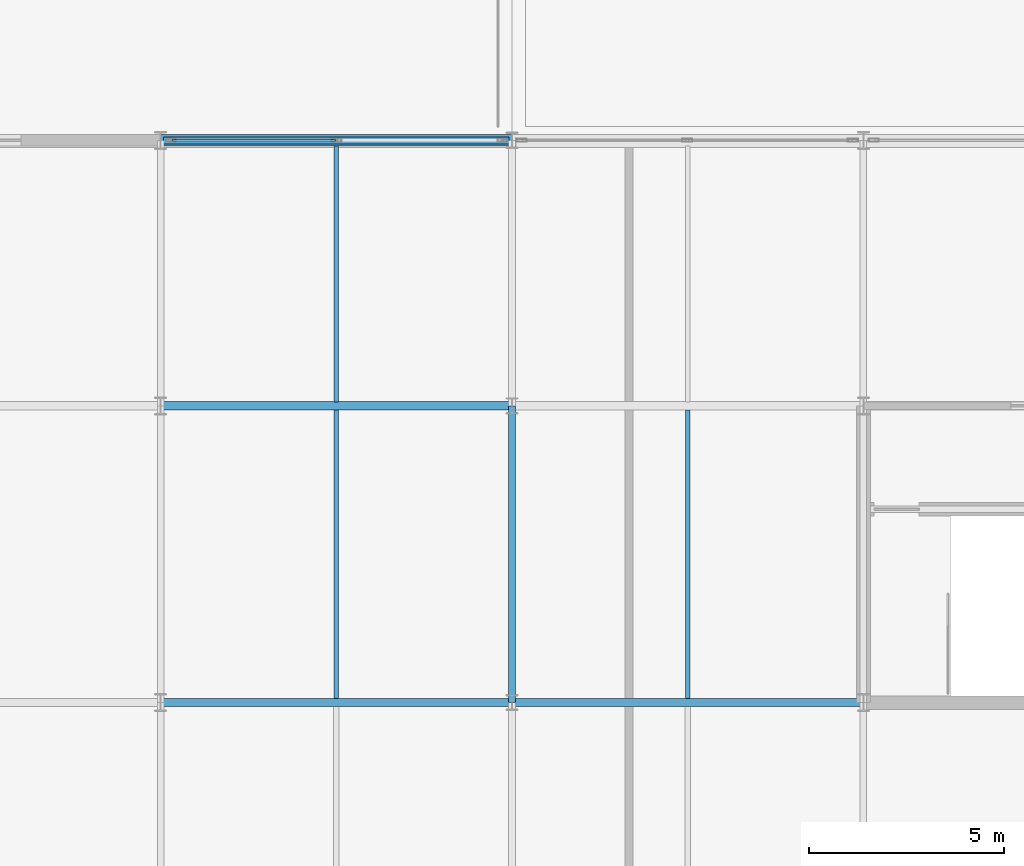
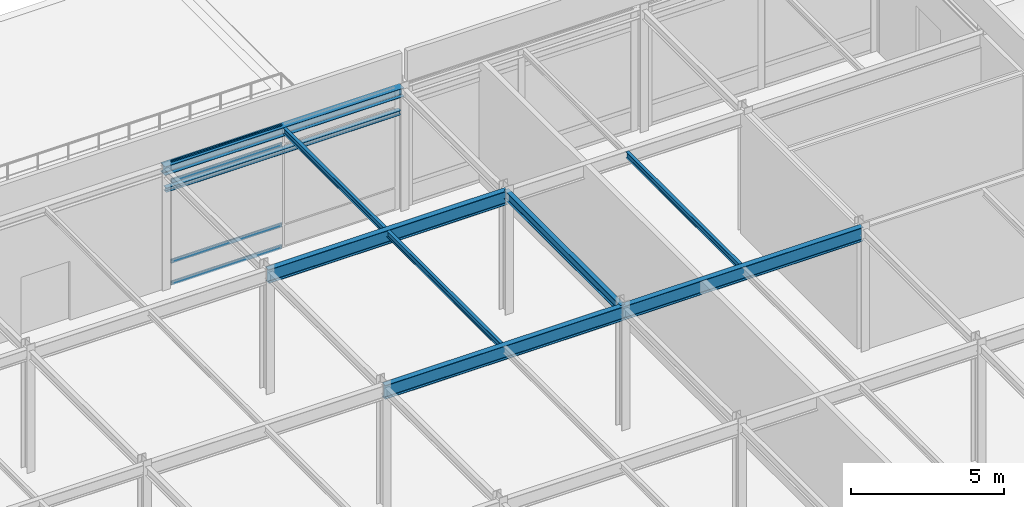
# One storey, part 70 of 113: 9 beams, 4 members, 1 element without a shape of its own.
"""IFC4 building model written with IfcOpenShell, lengths in metres."""

from ifc_helpers import new_model, si_unit, direction, frame, origin, origin_2d, place, context, subcontext, project, spatial, hollow_rectangle, i_section, extrude, material, layer, layer_set, material_profile, profile_set, type_object, element, aggregate, save


model = new_model("IFC4")

# Units and contexts
model_context = context("Model", 3, precision=1e-05, world=origin(), true_north=direction((0.0, 1.0)))
body_context = subcontext(model_context, "Body", "Model", "MODEL_VIEW")
ifc_project = project(units=[si_unit("LENGTHUNIT", "METRE"), si_unit("AREAUNIT", "SQUARE_METRE"), si_unit("VOLUMEUNIT", "CUBIC_METRE"), si_unit("PLANEANGLEUNIT", "RADIAN"), si_unit("MASSUNIT", "GRAM", prefix="KILO")], contexts=[model_context])

# Site, building, storey
site_placement = place(None, origin())
site = spatial("IfcSite", under=ifc_project, at=site_placement, CompositionType="ELEMENT")
building_placement = place(site_placement, origin())
building = spatial("IfcBuilding", under=site, at=building_placement, Name="Shalkamar Park Central Library", CompositionType="ELEMENT")
storey_placement = place(building_placement, frame((0.0, 0.0, 5.39990234375)))
storey = spatial("IfcBuildingStorey", under=building, at=storey_placement, Name="L02", CompositionType="ELEMENT", Elevation=5.39990234375)

# Beams
ifc_material_1 = material(Name="Steel S355", Category="steel")
ifc_material_profile_1 = material_profile(ifc_material_1, i_section(OverallWidth=0.1201171875, OverallDepth=0.239990234375, WebThickness=0.006103515625, FlangeThickness=0.009765625, FilletRadius=0.014892578125, at=origin_2d()), Name="IPE 240")
ifc_profile_set_1 = profile_set([ifc_material_profile_1], Name="Steel S355")
beam_type_1 = type_object("IfcBeamType", Name="Composite Floor Joist IPE240", PredefinedType="JOIST", material=ifc_profile_set_1)
beam_1_placement = place(storey_placement, frame((250.5, 323.702880859375, 4.72998046875), z_axis=(0.0, 1.0, 0.0), x_axis=(-1.0, 0.0, 0.0)))
element("IfcBeam", 1, at=beam_1_placement, inside=storey, type_object=beam_type_1, Name="Composite Joist 17/M-1 (L02)", PredefinedType="JOIST", context=body_context, shape_type="SweptSolid", body=[
    extrude(i_section(OverallWidth=0.1201171875, OverallDepth=0.239990234375, WebThickness=0.006103515625, FlangeThickness=0.009765625, FilletRadius=0.014892578125, at=origin_2d()), origin(), (0.0, 0.0, 1.0), 7.39404296875),
])
beam_2_placement = place(storey_placement, frame((250.5, 331.302978515625, 4.72998046875), z_axis=(0.0, 1.0, 0.0), x_axis=(-1.0, 0.0, 0.0)))
element("IfcBeam", 2, at=beam_2_placement, inside=storey, type_object=beam_type_1, Name="Composite Joist 17/N-1 (L02)", PredefinedType="JOIST", context=body_context, shape_type="SweptSolid", body=[
    extrude(i_section(OverallWidth=0.1201171875, OverallDepth=0.239990234375, WebThickness=0.006103515625, FlangeThickness=0.009765625, FilletRadius=0.014892578125, at=origin_2d()), origin(), (0.0, 0.0, 1.0), 6.549072265625),
])
beam_3_placement = place(storey_placement, frame((259.5, 323.702880859375, 4.72998046875), z_axis=(0.0, 1.0, 0.0), x_axis=(-1.0, 0.0, 0.0)))
element("IfcBeam", 3, at=beam_3_placement, inside=storey, type_object=beam_type_1, Name="Composite Joist 18/M-1 (L02)", PredefinedType="JOIST", context=body_context, shape_type="SweptSolid", body=[
    extrude(i_section(OverallWidth=0.1201171875, OverallDepth=0.239990234375, WebThickness=0.006103515625, FlangeThickness=0.009765625, FilletRadius=0.014892578125, at=origin_2d()), origin(), (0.0, 0.0, 1.0), 7.39404296875),
])

# Curtain wall, members
ifc_material_2 = material(Name="Thermally broken aluminium and triple low-e curtain wall", Category="aluminium")
ifc_layer = layer(ifc_material_2, 0.25)
ifc_layer_set = layer_set([ifc_layer], Name="UnitisedCurtainWall_33")
curtain_wall_type = type_object("IfcCurtainWallType", Name="Unitised Curtain Wall 33", PredefinedType="USERDEFINED", material=ifc_layer_set)
curtain_wall_placement = place(storey_placement, origin())
curtain_wall = element("IfcCurtainWall", 4, at=curtain_wall_placement, inside=storey, type_object=curtain_wall_type, Name="Unitised Curtain Wall CW-L02-037", ObjectType="UNITISED CURTAIN WALL", PredefinedType="USERDEFINED")
ifc_material_3 = material(Name="Aluminium 6060-T66", Category="aluminium")
ifc_material_profile_2 = material_profile(ifc_material_3, hollow_rectangle(XDim=0.06005859375, YDim=0.159912109375, WallThickness=0.00390625, InnerFilletRadius=0.00390625, OuterFilletRadius=0.006103515625, at=origin_2d()), Name="ALU 60x160x4")
ifc_profile_set_2 = profile_set([ifc_material_profile_2], Name="Aluminium 6060-T66")
member_type = type_object("IfcMemberType", Name="Curtain Wall Transom ALU60x160", PredefinedType="USERDEFINED", material=ifc_profile_set_2)
member_1_placement = place(storey_placement, frame((246.303955078125, 338.0, 0.030029296875), z_axis=(1.0, 0.0, 0.0), x_axis=(0.0, 1.0, 0.0)))
member_1 = element("IfcMember", 5, at=member_1_placement, type_object=member_type, Name="CW-33 transom 1.1", ObjectType="TRANSOM", PredefinedType="USERDEFINED", context=body_context, shape_type="SweptSolid", body=[
    extrude(hollow_rectangle(XDim=0.06005859375, YDim=0.159912109375, WallThickness=0.00390625, InnerFilletRadius=0.00390625, OuterFilletRadius=0.006103515625, at=origin_2d()), origin(), (0.0, 0.0, 1.0), 4.171142578125),
])
member_2_placement = place(storey_placement, frame((246.303955078125, 338.0, 0.900146484375), z_axis=(1.0, 0.0, 0.0), x_axis=(0.0, 1.0, 0.0)))
member_2 = element("IfcMember", 6, at=member_2_placement, type_object=member_type, Name="CW-33 transom 1.2", ObjectType="TRANSOM", PredefinedType="USERDEFINED", context=body_context, shape_type="SweptSolid", body=[
    extrude(hollow_rectangle(XDim=0.06005859375, YDim=0.159912109375, WallThickness=0.00390625, InnerFilletRadius=0.00390625, OuterFilletRadius=0.006103515625, at=origin_2d()), origin(), (0.0, 0.0, 1.0), 4.171142578125),
])
member_3_placement = place(storey_placement, frame((246.303955078125, 338.0, 4.10009765625), z_axis=(1.0, 0.0, 0.0), x_axis=(0.0, 1.0, 0.0)))
member_3 = element("IfcMember", 7, at=member_3_placement, type_object=member_type, Name="CW-33 transom 1.3", ObjectType="TRANSOM", PredefinedType="USERDEFINED", context=body_context, shape_type="SweptSolid", body=[
    extrude(hollow_rectangle(XDim=0.06005859375, YDim=0.159912109375, WallThickness=0.00390625, InnerFilletRadius=0.00390625, OuterFilletRadius=0.006103515625, at=origin_2d()), origin(), (0.0, 0.0, 1.0), 4.171142578125),
])
member_4_placement = place(storey_placement, frame((246.303955078125, 338.0, 4.820068359375), z_axis=(1.0, 0.0, 0.0), x_axis=(0.0, 1.0, 0.0)))
member_4 = element("IfcMember", 8, at=member_4_placement, type_object=member_type, Name="CW-33 transom 1.4", ObjectType="TRANSOM", PredefinedType="USERDEFINED", context=body_context, shape_type="SweptSolid", body=[
    extrude(hollow_rectangle(XDim=0.06005859375, YDim=0.159912109375, WallThickness=0.00390625, InnerFilletRadius=0.00390625, OuterFilletRadius=0.006103515625, at=origin_2d()), origin(), (0.0, 0.0, 1.0), 4.171142578125),
])
aggregate(curtain_wall, [member_1, member_2, member_3, member_4])

# Beams
ifc_material_profile_3 = material_profile(ifc_material_1, i_section(OverallWidth=0.179931640625, OverallDepth=0.1708984375, WebThickness=0.006103515625, FlangeThickness=0.009521484375, FilletRadius=0.014892578125, at=origin_2d()), Name="HEA 180")
ifc_profile_set_3 = profile_set([ifc_material_profile_3], Name="Steel S355")
beam_type_2 = type_object("IfcBeamType", Name="Opening Lintel Beam HEA180", PredefinedType="LINTEL", material=ifc_profile_set_3)
beam_4_placement = place(storey_placement, frame((246.080078125, 338.0, 3.85009765625), z_axis=(1.0, 0.0, 0.0), x_axis=(0.0, 1.0, 0.0)))
element("IfcBeam", 9, at=beam_4_placement, inside=storey, type_object=beam_type_2, Name="Opening Lintel L02-30", PredefinedType="LINTEL", context=body_context, shape_type="SweptSolid", body=[
    extrude(i_section(OverallWidth=0.179931640625, OverallDepth=0.1708984375, WebThickness=0.006103515625, FlangeThickness=0.009521484375, FilletRadius=0.014892578125, at=origin_2d()), origin(), (0.0, 0.0, 1.0), 8.83984375),
])
ifc_material_profile_4 = material_profile(ifc_material_1, i_section(OverallWidth=0.300048828125, OverallDepth=0.35009765625, WebThickness=0.010009765625, FlangeThickness=0.017578125, FilletRadius=0.027099609375, at=origin_2d()), Name="HEA 360")
ifc_profile_set_4 = profile_set([ifc_material_profile_4], Name="Steel S355")
beam_type_3 = type_object("IfcBeamType", Name="Perimeter Spandrel Beam HEA360", PredefinedType="SPANDREL", material=ifc_profile_set_4)
beam_5_placement = place(storey_placement, frame((246.0, 338.0, 4.675048828125), z_axis=(1.0, 0.0, 0.0), x_axis=(0.0, 1.0, 0.0)))
element("IfcBeam", 10, at=beam_5_placement, inside=storey, type_object=beam_type_3, Name="Beam P:17-18 (L02)", PredefinedType="SPANDREL", context=body_context, shape_type="SweptSolid", body=[
    extrude(i_section(OverallWidth=0.300048828125, OverallDepth=0.35009765625, WebThickness=0.010009765625, FlangeThickness=0.017578125, FilletRadius=0.027099609375, at=origin_2d()), origin(), (0.0, 0.0, 1.0), 9.0),
])
ifc_material_profile_5 = material_profile(ifc_material_1, i_section(OverallWidth=0.169921875, OverallDepth=0.360107421875, WebThickness=0.008056640625, FlangeThickness=0.0126953125, FilletRadius=0.01806640625, at=origin_2d()), Name="IPE 360")
ifc_profile_set_5 = profile_set([ifc_material_profile_5], Name="Steel S355")
beam_type_4 = type_object("IfcBeamType", Name="Primary Girder IPE360", PredefinedType="BEAM", material=ifc_profile_set_5)
beam_6_placement = place(storey_placement, frame((255.0, 323.60009765625, 4.670166015625), z_axis=(0.0, 1.0, 0.0), x_axis=(-1.0, 0.0, 0.0)))
element("IfcBeam", 11, at=beam_6_placement, inside=storey, type_object=beam_type_4, Name="Beam 18:M-N (L02)", PredefinedType="BEAM", context=body_context, shape_type="SweptSolid", body=[
    extrude(i_section(OverallWidth=0.169921875, OverallDepth=0.360107421875, WebThickness=0.008056640625, FlangeThickness=0.0126953125, FilletRadius=0.01806640625, at=origin_2d()), origin(), (0.0, 0.0, 1.0), 7.599853515625),
])
ifc_material_profile_6 = material_profile(ifc_material_1, i_section(OverallWidth=0.2099609375, OverallDepth=0.550048828125, WebThickness=0.010986328125, FlangeThickness=0.01708984375, FilletRadius=0.02392578125, at=origin_2d()), Name="IPE 550")
ifc_profile_set_6 = profile_set([ifc_material_profile_6], Name="Steel S355")
beam_type_5 = type_object("IfcBeamType", Name="Primary Girder IPE550", PredefinedType="BEAM", material=ifc_profile_set_6)
for number, where, z_axis, x_axis, name in (
    (12, (246.0, 323.60009765625, 4.5751953125), (1.0, 0.0, 0.0), (0.0, 1.0, 0.0), "Beam M:17-18 (L02)"),
    (13, (255.0, 323.60009765625, 4.5751953125), (1.0, 0.0, 0.0), (0.0, 1.0, 0.0), "Beam M:18-19 (L02)"),
    (14, (246.0, 331.199951171875, 4.5751953125), (1.0, 0.0, 0.0), (0.0, 1.0, 0.0), "Beam N:17-18 (L02)"),
):
    element("IfcBeam", number, at=place(storey_placement, frame(where, z_axis=z_axis, x_axis=x_axis)), inside=storey, type_object=beam_type_5, Name=name, PredefinedType="BEAM", context=body_context, shape_type="SweptSolid", body=[
        extrude(i_section(OverallWidth=0.2099609375, OverallDepth=0.550048828125, WebThickness=0.010986328125, FlangeThickness=0.01708984375, FilletRadius=0.02392578125, at=origin_2d()), origin(), (0.0, 0.0, 1.0), 9.0),
    ])

save(model, "model.ifc")
